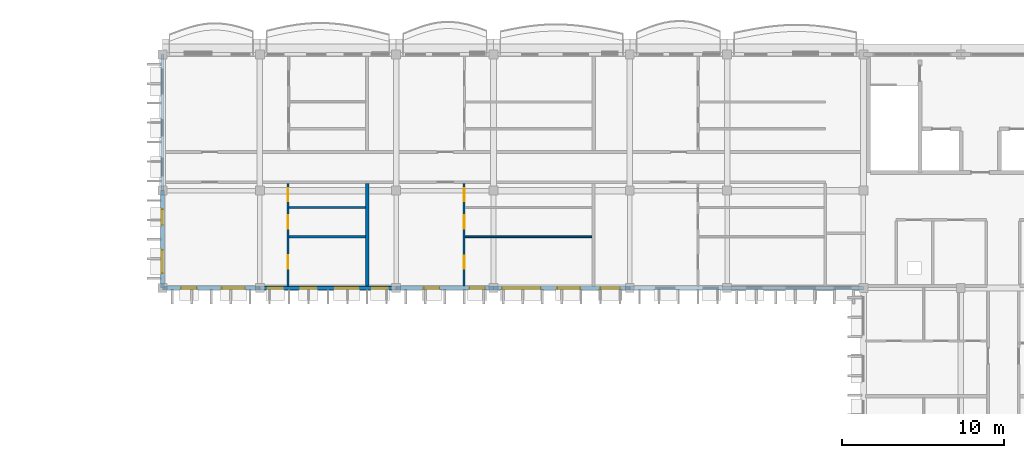
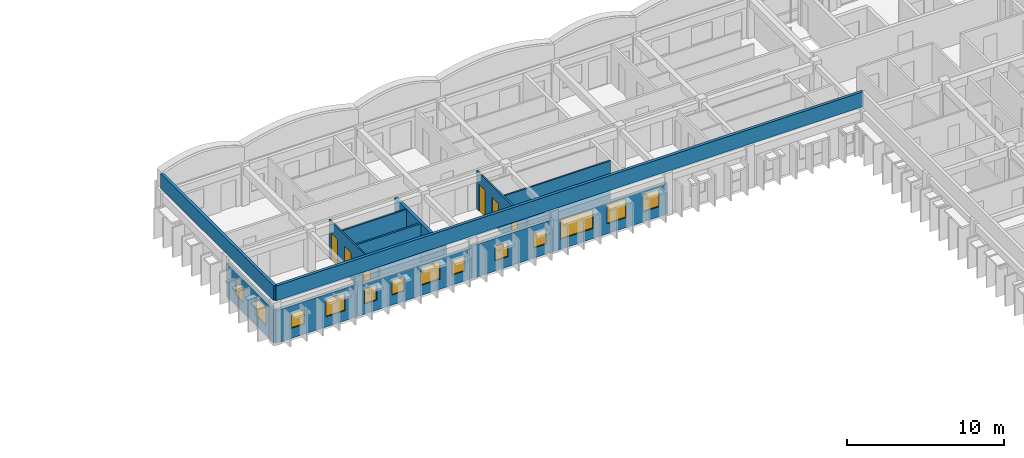
# One storey, part 11 of 28: 13 walls, 13 windows, 6 doors, 19 openings.
"""IFC4 building model written with IfcOpenShell, lengths in metres."""

from ifc_helpers import new_model, si_unit, direction, frame, frame_2d, origin, place, context, subcontext, project, spatial, rectangle, extrude, material, layer, layer_set, type_object, element, fill, save


model = new_model("IFC4")

# Units and contexts
model_context = context("Model", 3, precision=1e-05, world=origin(), true_north=direction((0.0, 1.0)))
body_context = subcontext(model_context, "Body", "Model", "MODEL_VIEW")
ifc_project = project(units=[si_unit("LENGTHUNIT", "METRE"), si_unit("AREAUNIT", "SQUARE_METRE"), si_unit("VOLUMEUNIT", "CUBIC_METRE"), si_unit("PLANEANGLEUNIT", "RADIAN"), si_unit("MASSUNIT", "GRAM", prefix="KILO"), si_unit("THERMODYNAMICTEMPERATUREUNIT", "KELVIN")], contexts=[model_context])

# Site, building, storey
site_placement = place(None, origin())
site = spatial("IfcSite", under=ifc_project, at=site_placement, CompositionType="ELEMENT")
building_placement = place(site_placement, origin())
building = spatial("IfcBuilding", under=site, at=building_placement, Name="Thalorik Housing Commons", CompositionType="ELEMENT")
storey_placement = place(building_placement, frame((0.0, 0.0, 41.10009765625)))
storey = spatial("IfcBuildingStorey", under=building, at=storey_placement, Name="L12", CompositionType="ELEMENT", Elevation=41.10009765625)

# Wall, openings, windows
ifc_material_1 = material(Name="White precast concrete C40/50", Category="concrete")
ifc_layer_1 = layer(ifc_material_1, 0.235107421875, Name="White precast concrete C40/50", Category="concrete")
ifc_layer_set_1 = layer_set([ifc_layer_1], Name="White precast concrete C40/50")
wall_type_1 = type_object("IfcWallType", Name="ARC-WAL-EXT-235", PredefinedType="STANDARD", material=ifc_layer_set_1)
wall_1_placement = place(storey_placement, frame((109.199951171875, 115.199951171875, 0.0), z_axis=(0.0, 0.0, 1.0), x_axis=(0.0, -1.0, 0.0)))
wall_1 = element("IfcWall", 1, at=wall_1_placement, inside=storey, type_object=wall_type_1, Name="L12 Exterior Wall WAL-EXT-L12-B-0806", PredefinedType="STANDARD", context=body_context, shape_type="SweptSolid", body=[
    extrude(rectangle(XDim=6.0, YDim=0.235107421875, at=frame_2d((3.0, 0.0))), origin(), (0.0, 0.0, 1.0), 2.574951171875),
])
opening_1_placement = place(wall_1_placement, frame((1.155029296875, 0.0, 0.780029296875)))
opening_1 = element("IfcOpeningElement", 2, at=opening_1_placement, cuts=wall_1, Name="Opening W-43", PredefinedType="OPENING", context=body_context, shape_type="SweptSolid", body=[
    extrude(rectangle(XDim=0.949951171875, YDim=1.14990234375, at=frame_2d((0.47509765625, 0.574951171875))), frame((0.0, 0.12744140625, 0.0), z_axis=(0.0, -1.0, 0.0), x_axis=(1.0, 0.0, 0.0)), (0.0, 0.0, 1.0), 0.255126953125),
])
opening_2_placement = place(wall_1_placement, frame((3.659912109375, 0.0, 0.780029296875)))
opening_2 = element("IfcOpeningElement", 3, at=opening_2_placement, cuts=wall_1, Name="Opening W-50", PredefinedType="OPENING", context=body_context, shape_type="SweptSolid", body=[
    extrude(rectangle(XDim=1.419921875, YDim=1.3798828125, at=frame_2d((0.7099609375, 0.68994140625))), frame((0.0, 0.12744140625, 0.0), z_axis=(0.0, -1.0, 0.0), x_axis=(1.0, 0.0, 0.0)), (0.0, 0.0, 1.0), 0.255126953125),
])
ifc_material_2 = material(Name="Anodised aluminium and solar-control low-E glass", Category="aluminium")
window_type_1 = type_object("IfcWindowType", Name="ARC-WIN-43", PartitioningType="SINGLE_PANEL", PredefinedType="WINDOW", material=ifc_material_2)
window_1_placement = place(opening_1_placement, origin())
window_1 = element("IfcWindow", 4, at=window_1_placement, inside=storey, type_object=window_type_1, Name="L12 Facade Window 1483", OverallHeight=1.14990234375, OverallWidth=0.949951171875, PartitioningType="SINGLE_PANEL", PredefinedType="WINDOW", context=body_context, shape_type="SweptSolid", body=[
    extrude(rectangle(XDim=0.949951171875, YDim=1.14990234375, at=frame_2d((0.47509765625, 0.574951171875))), frame((0.0, 0.030029296875, 0.0), z_axis=(0.0, -1.0, 0.0), x_axis=(1.0, 0.0, 0.0)), (0.0, 0.0, 1.0), 0.06005859375),
])
fill(opening_1, window_1)
window_type_2 = type_object("IfcWindowType", Name="ARC-WIN-50", PartitioningType="SINGLE_PANEL", PredefinedType="WINDOW", material=ifc_material_2)
window_2_placement = place(opening_2_placement, origin())
window_2 = element("IfcWindow", 5, at=window_2_placement, inside=storey, type_object=window_type_2, Name="L12 Facade Window 1484", OverallHeight=1.3798828125, OverallWidth=1.419921875, PartitioningType="SINGLE_PANEL", PredefinedType="WINDOW", context=body_context, shape_type="SweptSolid", body=[
    extrude(rectangle(XDim=1.419921875, YDim=1.3798828125, at=frame_2d((0.7099609375, 0.68994140625))), frame((0.0, 0.030029296875, 0.0), z_axis=(0.0, -1.0, 0.0), x_axis=(1.0, 0.0, 0.0)), (0.0, 0.0, 1.0), 0.06005859375),
])
fill(opening_2, window_2)

wall_2_placement = place(storey_placement, frame((109.199951171875, 109.199951171875, 0.0), z_axis=(0.0, 0.0, 1.0), x_axis=(1.0, 0.0, 0.0)))
wall_2 = element("IfcWall", 6, at=wall_2_placement, inside=storey, type_object=wall_type_1, Name="L12 Exterior Wall WAL-EXT-L12-B-0807", PredefinedType="STANDARD", context=body_context, shape_type="SweptSolid", body=[
    extrude(rectangle(XDim=6.0, YDim=0.235107421875, at=frame_2d((3.0, 0.0))), origin(), (0.0, 0.0, 1.0), 2.52490234375),
])
opening_3_placement = place(wall_2_placement, frame((1.155029296875, 0.0, 0.780029296875)))
opening_3 = element("IfcOpeningElement", 7, at=opening_3_placement, cuts=wall_2, Name="Opening W-43", PredefinedType="OPENING", context=body_context, shape_type="SweptSolid", body=[
    extrude(rectangle(XDim=0.949951171875, YDim=1.14990234375, at=frame_2d((0.47509765625, 0.574951171875))), frame((0.0, 0.12744140625, 0.0), z_axis=(0.0, -1.0, 0.0), x_axis=(1.0, 0.0, 0.0)), (0.0, 0.0, 1.0), 0.255126953125),
])
opening_4_placement = place(wall_2_placement, frame((3.659912109375, 0.0, 0.780029296875)))
opening_4 = element("IfcOpeningElement", 8, at=opening_4_placement, cuts=wall_2, Name="Opening W-50", PredefinedType="OPENING", context=body_context, shape_type="SweptSolid", body=[
    extrude(rectangle(XDim=1.419921875, YDim=1.3798828125, at=frame_2d((0.7099609375, 0.68994140625))), frame((0.0, 0.12744140625, 0.0), z_axis=(0.0, -1.0, 0.0), x_axis=(1.0, 0.0, 0.0)), (0.0, 0.0, 1.0), 0.255126953125),
])
window_3_placement = place(opening_3_placement, origin())
window_3 = element("IfcWindow", 9, at=window_3_placement, inside=storey, type_object=window_type_1, Name="L12 Facade Window 1485", OverallHeight=1.14990234375, OverallWidth=0.949951171875, PartitioningType="SINGLE_PANEL", PredefinedType="WINDOW", context=body_context, shape_type="SweptSolid", body=[
    extrude(rectangle(XDim=0.949951171875, YDim=1.14990234375, at=frame_2d((0.47509765625, 0.574951171875))), frame((0.0, 0.030029296875, 0.0), z_axis=(0.0, -1.0, 0.0), x_axis=(1.0, 0.0, 0.0)), (0.0, 0.0, 1.0), 0.06005859375),
])
fill(opening_3, window_3)
window_4_placement = place(opening_4_placement, origin())
window_4 = element("IfcWindow", 10, at=window_4_placement, inside=storey, type_object=window_type_2, Name="L12 Facade Window 1486", OverallHeight=1.3798828125, OverallWidth=1.419921875, PartitioningType="SINGLE_PANEL", PredefinedType="WINDOW", context=body_context, shape_type="SweptSolid", body=[
    extrude(rectangle(XDim=1.419921875, YDim=1.3798828125, at=frame_2d((0.7099609375, 0.68994140625))), frame((0.0, 0.030029296875, 0.0), z_axis=(0.0, -1.0, 0.0), x_axis=(1.0, 0.0, 0.0)), (0.0, 0.0, 1.0), 0.06005859375),
])
fill(opening_4, window_4)

wall_3_placement = place(storey_placement, frame((115.199951171875, 109.199951171875, 0.0), z_axis=(0.0, 0.0, 1.0), x_axis=(1.0, 0.0, 0.0)))
wall_3 = element("IfcWall", 11, at=wall_3_placement, inside=storey, type_object=wall_type_1, Name="L12 Exterior Wall WAL-EXT-L12-B-0808", PredefinedType="STANDARD", context=body_context, shape_type="SweptSolid", body=[
    extrude(rectangle(XDim=8.400146484375, YDim=0.235107421875, at=frame_2d((4.2001953125, 0.0))), origin(), (0.0, 0.0, 1.0), 2.375),
])
opening_5_placement = place(wall_3_placement, frame((0.512451171875, 0.0, 0.780029296875)))
opening_5 = element("IfcOpeningElement", 12, at=opening_5_placement, cuts=wall_3, Name="Opening W-01", PredefinedType="OPENING", context=body_context, shape_type="SweptSolid", body=[
    extrude(rectangle(XDim=0.89990234375, YDim=1.199951171875, at=frame_2d((0.449951171875, 0.60009765625))), frame((0.0, 0.12744140625, 0.0), z_axis=(0.0, -1.0, 0.0), x_axis=(1.0, 0.0, 0.0)), (0.0, 0.0, 1.0), 0.255126953125),
])
opening_6_placement = place(wall_3_placement, frame((2.513671875, 0.0, 0.780029296875)))
opening_6 = element("IfcOpeningElement", 13, at=opening_6_placement, cuts=wall_3, Name="Opening W-43", PredefinedType="OPENING", context=body_context, shape_type="SweptSolid", body=[
    extrude(rectangle(XDim=0.949951171875, YDim=1.14990234375, at=frame_2d((0.47509765625, 0.574951171875))), frame((0.0, 0.12744140625, 0.0), z_axis=(0.0, -1.0, 0.0), x_axis=(1.0, 0.0, 0.0)), (0.0, 0.0, 1.0), 0.255126953125),
])
opening_7_placement = place(wall_3_placement, frame((4.646240234375, 0.0, 0.780029296875)))
opening_7 = element("IfcOpeningElement", 14, at=opening_7_placement, cuts=wall_3, Name="Opening W-50", PredefinedType="OPENING", context=body_context, shape_type="SweptSolid", body=[
    extrude(rectangle(XDim=1.419921875, YDim=1.3798828125, at=frame_2d((0.7099609375, 0.68994140625))), frame((0.0, 0.12744140625, 0.0), z_axis=(0.0, -1.0, 0.0), x_axis=(1.0, 0.0, 0.0)), (0.0, 0.0, 1.0), 0.255126953125),
])
opening_8_placement = place(wall_3_placement, frame((6.93505859375, 0.0, 0.780029296875)))
opening_8 = element("IfcOpeningElement", 15, at=opening_8_placement, cuts=wall_3, Name="Opening W-43", PredefinedType="OPENING", context=body_context, shape_type="SweptSolid", body=[
    extrude(rectangle(XDim=0.949951171875, YDim=1.14990234375, at=frame_2d((0.47509765625, 0.574951171875))), frame((0.0, 0.12744140625, 0.0), z_axis=(0.0, -1.0, 0.0), x_axis=(1.0, 0.0, 0.0)), (0.0, 0.0, 1.0), 0.255126953125),
])
window_type_3 = type_object("IfcWindowType", Name="ARC-WIN-01", PartitioningType="SINGLE_PANEL", PredefinedType="WINDOW", material=ifc_material_2)
window_5_placement = place(opening_5_placement, origin())
window_5 = element("IfcWindow", 16, at=window_5_placement, inside=storey, type_object=window_type_3, Name="L12 Facade Window 1487", OverallHeight=1.199951171875, OverallWidth=0.89990234375, PartitioningType="SINGLE_PANEL", PredefinedType="WINDOW", context=body_context, shape_type="SweptSolid", body=[
    extrude(rectangle(XDim=0.89990234375, YDim=1.199951171875, at=frame_2d((0.449951171875, 0.60009765625))), frame((0.0, 0.030029296875, 0.0), z_axis=(0.0, -1.0, 0.0), x_axis=(1.0, 0.0, 0.0)), (0.0, 0.0, 1.0), 0.06005859375),
])
fill(opening_5, window_5)
window_6_placement = place(opening_6_placement, origin())
window_6 = element("IfcWindow", 17, at=window_6_placement, inside=storey, type_object=window_type_1, Name="L12 Facade Window 1488", OverallHeight=1.14990234375, OverallWidth=0.949951171875, PartitioningType="SINGLE_PANEL", PredefinedType="WINDOW", context=body_context, shape_type="SweptSolid", body=[
    extrude(rectangle(XDim=0.949951171875, YDim=1.14990234375, at=frame_2d((0.47509765625, 0.574951171875))), frame((0.0, 0.030029296875, 0.0), z_axis=(0.0, -1.0, 0.0), x_axis=(1.0, 0.0, 0.0)), (0.0, 0.0, 1.0), 0.06005859375),
])
fill(opening_6, window_6)
window_7_placement = place(opening_8_placement, origin())
window_7 = element("IfcWindow", 18, at=window_7_placement, inside=storey, type_object=window_type_1, Name="L12 Facade Window 1490", OverallHeight=1.14990234375, OverallWidth=0.949951171875, PartitioningType="SINGLE_PANEL", PredefinedType="WINDOW", context=body_context, shape_type="SweptSolid", body=[
    extrude(rectangle(XDim=0.949951171875, YDim=1.14990234375, at=frame_2d((0.47509765625, 0.574951171875))), frame((0.0, 0.030029296875, 0.0), z_axis=(0.0, -1.0, 0.0), x_axis=(1.0, 0.0, 0.0)), (0.0, 0.0, 1.0), 0.06005859375),
])
fill(opening_8, window_7)
window_8_placement = place(opening_7_placement, origin())
window_8 = element("IfcWindow", 19, at=window_8_placement, inside=storey, type_object=window_type_2, Name="L12 Facade Window 1489", OverallHeight=1.3798828125, OverallWidth=1.419921875, PartitioningType="SINGLE_PANEL", PredefinedType="WINDOW", context=body_context, shape_type="SweptSolid", body=[
    extrude(rectangle(XDim=1.419921875, YDim=1.3798828125, at=frame_2d((0.7099609375, 0.68994140625))), frame((0.0, 0.030029296875, 0.0), z_axis=(0.0, -1.0, 0.0), x_axis=(1.0, 0.0, 0.0)), (0.0, 0.0, 1.0), 0.06005859375),
])
fill(opening_7, window_8)

wall_4_placement = place(storey_placement, frame((123.60009765625, 109.199951171875, 0.0), z_axis=(0.0, 0.0, 1.0), x_axis=(1.0, 0.0, 0.0)))
wall_4 = element("IfcWall", 20, at=wall_4_placement, inside=storey, type_object=wall_type_1, Name="L12 Exterior Wall WAL-EXT-L12-B-0809", PredefinedType="STANDARD", context=body_context, shape_type="SweptSolid", body=[
    extrude(rectangle(XDim=6.0, YDim=0.235107421875, at=frame_2d((3.0, 0.0))), origin(), (0.0, 0.0, 1.0), 2.52490234375),
])
opening_9_placement = place(wall_4_placement, frame((1.715087890625, 0.0, 0.780029296875)))
opening_9 = element("IfcOpeningElement", 21, at=opening_9_placement, cuts=wall_4, Name="Opening W-43", PredefinedType="OPENING", context=body_context, shape_type="SweptSolid", body=[
    extrude(rectangle(XDim=0.949951171875, YDim=1.14990234375, at=frame_2d((0.47509765625, 0.574951171875))), frame((0.0, 0.12744140625, 0.0), z_axis=(0.0, -1.0, 0.0), x_axis=(1.0, 0.0, 0.0)), (0.0, 0.0, 1.0), 0.255126953125),
])
opening_10_placement = place(wall_4_placement, frame((4.52490234375, 0.0, 0.780029296875)))
opening_10 = element("IfcOpeningElement", 22, at=opening_10_placement, cuts=wall_4, Name="Opening W-43", PredefinedType="OPENING", context=body_context, shape_type="SweptSolid", body=[
    extrude(rectangle(XDim=0.949951171875, YDim=1.14990234375, at=frame_2d((0.47509765625, 0.574951171875))), frame((0.0, 0.12744140625, 0.0), z_axis=(0.0, -1.0, 0.0), x_axis=(1.0, 0.0, 0.0)), (0.0, 0.0, 1.0), 0.255126953125),
])
window_9_placement = place(opening_9_placement, origin())
window_9 = element("IfcWindow", 23, at=window_9_placement, inside=storey, type_object=window_type_1, Name="L12 Facade Window 1491", OverallHeight=1.14990234375, OverallWidth=0.949951171875, PartitioningType="SINGLE_PANEL", PredefinedType="WINDOW", context=body_context, shape_type="SweptSolid", body=[
    extrude(rectangle(XDim=0.949951171875, YDim=1.14990234375, at=frame_2d((0.47509765625, 0.574951171875))), frame((0.0, 0.030029296875, 0.0), z_axis=(0.0, -1.0, 0.0), x_axis=(1.0, 0.0, 0.0)), (0.0, 0.0, 1.0), 0.06005859375),
])
fill(opening_9, window_9)
window_10_placement = place(opening_10_placement, origin())
window_10 = element("IfcWindow", 24, at=window_10_placement, inside=storey, type_object=window_type_1, Name="L12 Facade Window 1492", OverallHeight=1.14990234375, OverallWidth=0.949951171875, PartitioningType="SINGLE_PANEL", PredefinedType="WINDOW", context=body_context, shape_type="SweptSolid", body=[
    extrude(rectangle(XDim=0.949951171875, YDim=1.14990234375, at=frame_2d((0.47509765625, 0.574951171875))), frame((0.0, 0.030029296875, 0.0), z_axis=(0.0, -1.0, 0.0), x_axis=(1.0, 0.0, 0.0)), (0.0, 0.0, 1.0), 0.06005859375),
])
fill(opening_10, window_10)

wall_5_placement = place(storey_placement, frame((129.60009765625, 109.199951171875, 0.0), z_axis=(0.0, 0.0, 1.0), x_axis=(1.0, 0.0, 0.0)))
wall_5 = element("IfcWall", 25, at=wall_5_placement, inside=storey, type_object=wall_type_1, Name="L12 Exterior Wall WAL-EXT-L12-B-0810", PredefinedType="STANDARD", context=body_context, shape_type="SweptSolid", body=[
    extrude(rectangle(XDim=8.39990234375, YDim=0.235107421875, at=frame_2d((4.199951171875, 0.0))), origin(), (0.0, 0.0, 1.0), 2.375),
])
opening_11_placement = place(wall_5_placement, frame((0.530029296875, 0.0, 0.780029296875)))
opening_11 = element("IfcOpeningElement", 26, at=opening_11_placement, cuts=wall_5, Name="Opening W-69", PredefinedType="OPENING", context=body_context, shape_type="SweptSolid", body=[
    extrude(rectangle(XDim=2.3798828125, YDim=1.47998046875, at=frame_2d((1.18994140625, 0.739990234375))), frame((0.0, 0.12744140625, 0.0), z_axis=(0.0, -1.0, 0.0), x_axis=(1.0, 0.0, 0.0)), (0.0, 0.0, 1.0), 0.255126953125),
])
opening_12_placement = place(wall_5_placement, frame((3.93994140625, 0.0, 0.780029296875)))
opening_12 = element("IfcOpeningElement", 27, at=opening_12_placement, cuts=wall_5, Name="Opening W-08", PredefinedType="OPENING", context=body_context, shape_type="SweptSolid", body=[
    extrude(rectangle(XDim=1.39990234375, YDim=1.449951171875, at=frame_2d((0.699951171875, 0.72509765625))), frame((0.0, 0.12744140625, 0.0), z_axis=(0.0, -1.0, 0.0), x_axis=(1.0, 0.0, 0.0)), (0.0, 0.0, 1.0), 0.255126953125),
])
opening_13_placement = place(wall_5_placement, frame((6.590087890625, 0.0, 0.780029296875)))
opening_13 = element("IfcOpeningElement", 28, at=opening_13_placement, cuts=wall_5, Name="Opening W-04", PredefinedType="OPENING", context=body_context, shape_type="SweptSolid", body=[
    extrude(rectangle(XDim=1.199951171875, YDim=1.35009765625, at=frame_2d((0.60009765625, 0.675048828125))), frame((0.0, 0.12744140625, 0.0), z_axis=(0.0, -1.0, 0.0), x_axis=(1.0, 0.0, 0.0)), (0.0, 0.0, 1.0), 0.255126953125),
])
window_type_4 = type_object("IfcWindowType", Name="ARC-WIN-04", PartitioningType="SINGLE_PANEL", PredefinedType="WINDOW", material=ifc_material_2)
window_11_placement = place(opening_13_placement, origin())
window_11 = element("IfcWindow", 29, at=window_11_placement, inside=storey, type_object=window_type_4, Name="L12 Facade Window 1495", OverallHeight=1.35009765625, OverallWidth=1.199951171875, PartitioningType="SINGLE_PANEL", PredefinedType="WINDOW", context=body_context, shape_type="SweptSolid", body=[
    extrude(rectangle(XDim=1.199951171875, YDim=1.35009765625, at=frame_2d((0.60009765625, 0.675048828125))), frame((0.0, 0.030029296875, 0.0), z_axis=(0.0, -1.0, 0.0), x_axis=(1.0, 0.0, 0.0)), (0.0, 0.0, 1.0), 0.06005859375),
])
fill(opening_13, window_11)
window_type_5 = type_object("IfcWindowType", Name="ARC-WIN-08", PartitioningType="SINGLE_PANEL", PredefinedType="WINDOW", material=ifc_material_2)
window_12_placement = place(opening_12_placement, origin())
window_12 = element("IfcWindow", 30, at=window_12_placement, inside=storey, type_object=window_type_5, Name="L12 Facade Window 1494", OverallHeight=1.449951171875, OverallWidth=1.39990234375, PartitioningType="SINGLE_PANEL", PredefinedType="WINDOW", context=body_context, shape_type="SweptSolid", body=[
    extrude(rectangle(XDim=1.39990234375, YDim=1.449951171875, at=frame_2d((0.699951171875, 0.72509765625))), frame((0.0, 0.030029296875, 0.0), z_axis=(0.0, -1.0, 0.0), x_axis=(1.0, 0.0, 0.0)), (0.0, 0.0, 1.0), 0.06005859375),
])
fill(opening_12, window_12)
window_type_6 = type_object("IfcWindowType", Name="ARC-WIN-69", PartitioningType="DOUBLE_PANEL_VERTICAL", PredefinedType="WINDOW", material=ifc_material_2)
window_13_placement = place(opening_11_placement, origin())
window_13 = element("IfcWindow", 31, at=window_13_placement, inside=storey, type_object=window_type_6, Name="L12 Facade Window 1493", OverallHeight=1.47998046875, OverallWidth=2.3798828125, PartitioningType="DOUBLE_PANEL_VERTICAL", PredefinedType="WINDOW", context=body_context, shape_type="SweptSolid", body=[
    extrude(rectangle(XDim=2.3798828125, YDim=1.47998046875, at=frame_2d((1.18994140625, 0.739990234375))), frame((0.0, 0.030029296875, 0.0), z_axis=(0.0, -1.0, 0.0), x_axis=(1.0, 0.0, 0.0)), (0.0, 0.0, 1.0), 0.06005859375),
])
fill(opening_11, window_13)

# Walls
ifc_layer_2 = layer(ifc_material_1, 0.2099609375, Name="White precast concrete C40/50", Category="concrete")
ifc_layer_set_2 = layer_set([ifc_layer_2], Name="White precast concrete C40/50")
wall_type_2 = type_object("IfcWallType", Name="ARC-WAL-PAR-210", PredefinedType="PARAPET", material=ifc_layer_set_2)
wall_6_placement = place(storey_placement, frame((109.199951171875, 123.60009765625, 3.2998046875), z_axis=(0.0, 0.0, 1.0), x_axis=(0.0, -1.0, 0.0)))
element("IfcWall", 32, at=wall_6_placement, inside=storey, type_object=wall_type_2, Name="L12 Block B Roof Parapet 24", PredefinedType="PARAPET", context=body_context, shape_type="SweptSolid", body=[
    extrude(rectangle(XDim=14.400146484375, YDim=0.2099609375, at=frame_2d((7.2001953125, 0.0))), origin(), (0.0, 0.0, 1.0), 1.150146484375),
])
wall_7_placement = place(storey_placement, frame((109.199951171875, 109.199951171875, 3.2998046875), z_axis=(0.0, 0.0, 1.0), x_axis=(1.0, 0.0, 0.0)))
element("IfcWall", 33, at=wall_7_placement, inside=storey, type_object=wall_type_2, Name="L12 Block B Roof Parapet 25", PredefinedType="PARAPET", context=body_context, shape_type="SweptSolid", body=[
    extrude(rectangle(XDim=43.199951171875, YDim=0.2099609375, at=frame_2d((21.60009765625, 0.0))), origin(), (0.0, 0.0, 1.0), 1.150146484375),
])

# Wall, openings, doors
ifc_material_3 = material(Name="Gypsum light stud partition", Category="masonry")
ifc_layer_3 = layer(ifc_material_3, 0.10009765625, Name="Gypsum light stud partition", Category="masonry")
ifc_layer_set_3 = layer_set([ifc_layer_3], Name="Gypsum light stud partition")
wall_type_3 = type_object("IfcWallType", Name="ARC-WAL-PART-100", PredefinedType="PARTITIONING", material=ifc_layer_set_3)
wall_8_placement = place(storey_placement, frame((116.93505859375, 109.319580078125, 0.0), z_axis=(0.0, 0.0, 1.0), x_axis=(0.0, 1.0, 0.0)))
wall_8 = element("IfcWall", 34, at=wall_8_placement, inside=storey, type_object=wall_type_3, Name="L12 Unit 1 Spine Partition", PredefinedType="PARTITIONING", context=body_context, shape_type="SweptSolid", body=[
    extrude(rectangle(XDim=6.323486328125, YDim=0.10009765625, at=frame_2d((3.16162109375, 0.0))), origin(), (0.0, 0.0, 1.0), 3.0),
])
opening_14_placement = place(wall_8_placement, frame((1.06591796875, 0.0, 0.0)))
opening_14 = element("IfcOpeningElement", 35, at=opening_14_placement, cuts=wall_8, Name="Opening ID-1526", PredefinedType="OPENING", context=body_context, shape_type="SweptSolid", body=[
    extrude(rectangle(XDim=0.85009765625, YDim=2.10009765625, at=frame_2d((0.425048828125, 1.050048828125))), frame((0.0, 0.06005859375, 0.0), z_axis=(0.0, -1.0, 0.0), x_axis=(1.0, 0.0, 0.0)), (0.0, 0.0, 1.0), 0.1201171875),
])
opening_15_placement = place(wall_8_placement, frame((3.520751953125, 0.0, 0.0)))
opening_15 = element("IfcOpeningElement", 36, at=opening_15_placement, cuts=wall_8, Name="Opening ID-1527", PredefinedType="OPENING", context=body_context, shape_type="SweptSolid", body=[
    extrude(rectangle(XDim=0.85009765625, YDim=2.10009765625, at=frame_2d((0.425048828125, 1.050048828125))), frame((0.0, 0.06005859375, 0.0), z_axis=(0.0, -1.0, 0.0), x_axis=(1.0, 0.0, 0.0)), (0.0, 0.0, 1.0), 0.1201171875),
])
opening_16_placement = place(wall_8_placement, frame((5.225341796875, 0.0, 0.0)))
opening_16 = element("IfcOpeningElement", 37, at=opening_16_placement, cuts=wall_8, Name="Opening ID-1528", PredefinedType="OPENING", context=body_context, shape_type="SweptSolid", body=[
    extrude(rectangle(XDim=0.800048828125, YDim=2.10009765625, at=frame_2d((0.39990234375, 1.050048828125))), frame((0.0, 0.06005859375, 0.0), z_axis=(0.0, -1.0, 0.0), x_axis=(1.0, 0.0, 0.0)), (0.0, 0.0, 1.0), 0.1201171875),
])
ifc_material_4 = material(Name="Moisture-resistant timber", Category="wood")
door_type_1 = type_object("IfcDoorType", Name="ARC-DR-INT-800", OperationType="NOTDEFINED", PredefinedType="DOOR", material=ifc_material_4)
door_1_placement = place(opening_16_placement, origin())
door_1 = element("IfcDoor", 38, at=door_1_placement, inside=storey, type_object=door_type_1, Name="L12 Accessible Bathroom Door", OperationType="SINGLE_SWING_LEFT", OverallHeight=2.10009765625, OverallWidth=0.800048828125, PredefinedType="DOOR", context=body_context, shape_type="SweptSolid", body=[
    extrude(rectangle(XDim=0.800048828125, YDim=2.10009765625, at=frame_2d((0.39990234375, 1.050048828125))), frame((0.0, 0.02490234375, 0.0), z_axis=(0.0, -1.0, 0.0), x_axis=(1.0, 0.0, 0.0)), (0.0, 0.0, 1.0), 0.050048828125),
])
fill(opening_16, door_1)
ifc_material_5 = material(Name="Engineered oak timber", Category="wood")
door_type_2 = type_object("IfcDoorType", Name="ARC-DR-INT-850", OperationType="NOTDEFINED", PredefinedType="DOOR", material=ifc_material_5)
door_2_placement = place(opening_14_placement, origin())
door_2 = element("IfcDoor", 39, at=door_2_placement, inside=storey, type_object=door_type_2, Name="L12 Children's Bedroom Door", OperationType="SINGLE_SWING_LEFT", OverallHeight=2.10009765625, OverallWidth=0.85009765625, PredefinedType="DOOR", context=body_context, shape_type="SweptSolid", body=[
    extrude(rectangle(XDim=0.85009765625, YDim=2.10009765625, at=frame_2d((0.425048828125, 1.050048828125))), frame((0.0, 0.02490234375, 0.0), z_axis=(0.0, -1.0, 0.0), x_axis=(1.0, 0.0, 0.0)), (0.0, 0.0, 1.0), 0.050048828125),
])
fill(opening_14, door_2)
door_3_placement = place(opening_15_placement, origin())
door_3 = element("IfcDoor", 40, at=door_3_placement, inside=storey, type_object=door_type_2, Name="L12 Eat-In Kitchen Door", OperationType="SINGLE_SWING_RIGHT", OverallHeight=2.10009765625, OverallWidth=0.85009765625, PredefinedType="DOOR", context=body_context, shape_type="SweptSolid", body=[
    extrude(rectangle(XDim=0.85009765625, YDim=2.10009765625, at=frame_2d((0.425048828125, 1.050048828125))), frame((0.0, 0.02490234375, 0.0), z_axis=(0.0, -1.0, 0.0), x_axis=(1.0, 0.0, 0.0)), (0.0, 0.0, 1.0), 0.050048828125),
])
fill(opening_15, door_3)

# Walls
ifc_material_6 = material(Name="Gypsum moisture-resistant partition", Category="masonry")
ifc_layer_4 = layer(ifc_material_6, 0.114990234375, Name="Gypsum moisture-resistant partition", Category="masonry")
ifc_layer_set_4 = layer_set([ifc_layer_4], Name="Gypsum moisture-resistant partition")
wall_type_4 = type_object("IfcWallType", Name="ARC-WAL-PART-115", PredefinedType="PARTITIONING", material=ifc_layer_set_4)
wall_9_placement = place(storey_placement, frame((127.8544921875, 112.36083984375, 0.0), z_axis=(0.0, 0.0, 1.0), x_axis=(1.0, 0.0, 0.0)))
element("IfcWall", 41, at=wall_9_placement, inside=storey, type_object=wall_type_4, Name="L12 Unit 2 Bedroom Partition", PredefinedType="PARTITIONING", context=body_context, shape_type="SweptSolid", body=[
    extrude(rectangle(XDim=7.8134765625, YDim=0.114990234375, at=frame_2d((3.90673828125, 0.0))), origin(), (0.0, 0.0, 1.0), 3.0),
])
ifc_material_7 = material(Name="Gypsum acoustic stud partition", Category="masonry")
ifc_layer_5 = layer(ifc_material_7, 0.125, Name="Gypsum acoustic stud partition", Category="masonry")
ifc_layer_set_5 = layer_set([ifc_layer_5], Name="Gypsum acoustic stud partition")
wall_type_5 = type_object("IfcWallType", Name="ARC-WAL-PART-125", PredefinedType="PARTITIONING", material=ifc_layer_set_5)
wall_10_placement = place(storey_placement, frame((116.987060546875, 114.169677734375, 0.0), z_axis=(0.0, 0.0, 1.0), x_axis=(1.0, 0.0, 0.0)))
element("IfcWall", 42, at=wall_10_placement, inside=storey, type_object=wall_type_5, Name="L12 Unit 1 Wet Wall", PredefinedType="PARTITIONING", context=body_context, shape_type="SweptSolid", body=[
    extrude(rectangle(XDim=4.7109375, YDim=0.125, at=frame_2d((2.35546875, 0.0))), origin(), (0.0, 0.0, 1.0), 3.0),
])

# Wall, openings, doors
wall_11_placement = place(storey_placement, frame((127.7900390625, 109.319580078125, 0.0), z_axis=(0.0, 0.0, 1.0), x_axis=(0.0, 1.0, 0.0)))
wall_11 = element("IfcWall", 43, at=wall_11_placement, inside=storey, type_object=wall_type_5, Name="L12 Unit 2 Spine Partition", PredefinedType="PARTITIONING", context=body_context, shape_type="SweptSolid", body=[
    extrude(rectangle(XDim=6.323486328125, YDim=0.125, at=frame_2d((3.16162109375, 0.0))), origin(), (0.0, 0.0, 1.0), 3.0),
])
opening_17_placement = place(wall_11_placement, frame((1.06591796875, 0.0, 0.0)))
opening_17 = element("IfcOpeningElement", 44, at=opening_17_placement, cuts=wall_11, Name="Opening ID-1532", PredefinedType="OPENING", context=body_context, shape_type="SweptSolid", body=[
    extrude(rectangle(XDim=0.820068359375, YDim=2.080078125, at=frame_2d((0.41015625, 1.0400390625))), frame((0.0, 0.072509765625, 0.0), z_axis=(0.0, -1.0, 0.0), x_axis=(1.0, 0.0, 0.0)), (0.0, 0.0, 1.0), 0.14501953125),
])
opening_18_placement = place(wall_11_placement, frame((3.520751953125, 0.0, 0.0)))
opening_18 = element("IfcOpeningElement", 45, at=opening_18_placement, cuts=wall_11, Name="Opening ID-1533", PredefinedType="OPENING", context=body_context, shape_type="SweptSolid", body=[
    extrude(rectangle(XDim=0.85009765625, YDim=2.10009765625, at=frame_2d((0.425048828125, 1.050048828125))), frame((0.0, 0.072509765625, 0.0), z_axis=(0.0, -1.0, 0.0), x_axis=(1.0, 0.0, 0.0)), (0.0, 0.0, 1.0), 0.14501953125),
])
opening_19_placement = place(wall_11_placement, frame((5.225341796875, 0.0, 0.0)))
opening_19 = element("IfcOpeningElement", 46, at=opening_19_placement, cuts=wall_11, Name="Opening ID-1534", PredefinedType="OPENING", context=body_context, shape_type="SweptSolid", body=[
    extrude(rectangle(XDim=0.800048828125, YDim=2.10009765625, at=frame_2d((0.39990234375, 1.050048828125))), frame((0.0, 0.072509765625, 0.0), z_axis=(0.0, -1.0, 0.0), x_axis=(1.0, 0.0, 0.0)), (0.0, 0.0, 1.0), 0.14501953125),
])
door_4_placement = place(opening_19_placement, origin())
door_4 = element("IfcDoor", 47, at=door_4_placement, inside=storey, type_object=door_type_1, Name="L12 Flat Bathroom Door", OperationType="SINGLE_SWING_LEFT", OverallHeight=2.10009765625, OverallWidth=0.800048828125, PredefinedType="DOOR", context=body_context, shape_type="SweptSolid", body=[
    extrude(rectangle(XDim=0.800048828125, YDim=2.10009765625, at=frame_2d((0.39990234375, 1.050048828125))), frame((0.0, 0.02490234375, 0.0), z_axis=(0.0, -1.0, 0.0), x_axis=(1.0, 0.0, 0.0)), (0.0, 0.0, 1.0), 0.050048828125),
])
fill(opening_19, door_4)
door_type_3 = type_object("IfcDoorType", Name="ARC-DR-INT-820", OperationType="NOTDEFINED", PredefinedType="DOOR", material=ifc_material_5)
door_5_placement = place(opening_17_placement, origin())
door_5 = element("IfcDoor", 48, at=door_5_placement, inside=storey, type_object=door_type_3, Name="L12 Double Bedroom Door", OperationType="SINGLE_SWING_LEFT", OverallHeight=2.080078125, OverallWidth=0.820068359375, PredefinedType="DOOR", context=body_context, shape_type="SweptSolid", body=[
    extrude(rectangle(XDim=0.820068359375, YDim=2.080078125, at=frame_2d((0.41015625, 1.0400390625))), frame((0.0, 0.02490234375, 0.0), z_axis=(0.0, -1.0, 0.0), x_axis=(1.0, 0.0, 0.0)), (0.0, 0.0, 1.0), 0.050048828125),
])
fill(opening_17, door_5)
door_6_placement = place(opening_18_placement, origin())
door_6 = element("IfcDoor", 49, at=door_6_placement, inside=storey, type_object=door_type_2, Name="L12 Galley Kitchen Door", OperationType="SINGLE_SWING_RIGHT", OverallHeight=2.10009765625, OverallWidth=0.85009765625, PredefinedType="DOOR", context=body_context, shape_type="SweptSolid", body=[
    extrude(rectangle(XDim=0.85009765625, YDim=2.10009765625, at=frame_2d((0.425048828125, 1.050048828125))), frame((0.0, 0.02490234375, 0.0), z_axis=(0.0, -1.0, 0.0), x_axis=(1.0, 0.0, 0.0)), (0.0, 0.0, 1.0), 0.050048828125),
])
fill(opening_18, door_6)

# Walls
ifc_material_8 = material(Name="Ceramic masonry partition wall", Category="masonry")
ifc_layer_6 = layer(ifc_material_8, 0.139892578125, Name="Ceramic masonry partition wall", Category="masonry")
ifc_layer_set_6 = layer_set([ifc_layer_6], Name="Ceramic masonry partition wall")
wall_type_6 = type_object("IfcWallType", Name="ARC-WAL-PART-140", PredefinedType="PARTITIONING", material=ifc_layer_set_6)
wall_12_placement = place(storey_placement, frame((116.987060546875, 112.36083984375, 0.0), z_axis=(0.0, 0.0, 1.0), x_axis=(1.0, 0.0, 0.0)))
element("IfcWall", 50, at=wall_12_placement, inside=storey, type_object=wall_type_6, Name="L12 Unit 1 Bedroom Partition", PredefinedType="PARTITIONING", context=body_context, shape_type="SweptSolid", body=[
    extrude(rectangle(XDim=4.7109375, YDim=0.139892578125, at=frame_2d((2.35546875, 0.0))), origin(), (0.0, 0.0, 1.0), 3.0),
])
ifc_material_9 = material(Name="Precast concrete C40/50 acoustic wall", Category="concrete")
ifc_layer_7 = layer(ifc_material_9, 0.219970703125, Name="Precast concrete C40/50 acoustic wall", Category="concrete")
ifc_layer_set_7 = layer_set([ifc_layer_7], Name="Precast concrete C40/50 acoustic wall")
wall_type_7 = type_object("IfcWallType", Name="ARC-WAL-PARTY-220", PredefinedType="PARTITIONING", material=ifc_layer_set_7)
wall_13_placement = place(storey_placement, frame((121.81005859375, 109.319580078125, 0.0), z_axis=(0.0, 0.0, 1.0), x_axis=(0.0, 1.0, 0.0)))
element("IfcWall", 51, at=wall_13_placement, inside=storey, type_object=wall_type_7, Name="L12 Inter-Tenancy Wall 1A", PredefinedType="PARTITIONING", context=body_context, shape_type="SweptSolid", body=[
    extrude(rectangle(XDim=6.323486328125, YDim=0.219970703125, at=frame_2d((3.16162109375, 0.0))), origin(), (0.0, 0.0, 1.0), 3.0),
])

save(model, "model.ifc")
